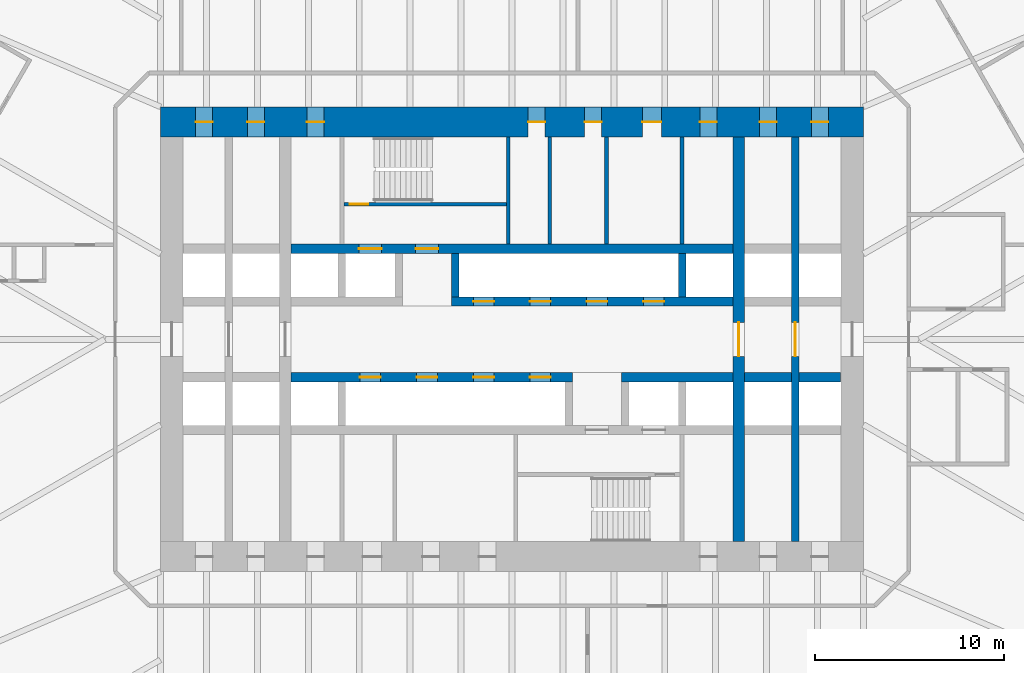
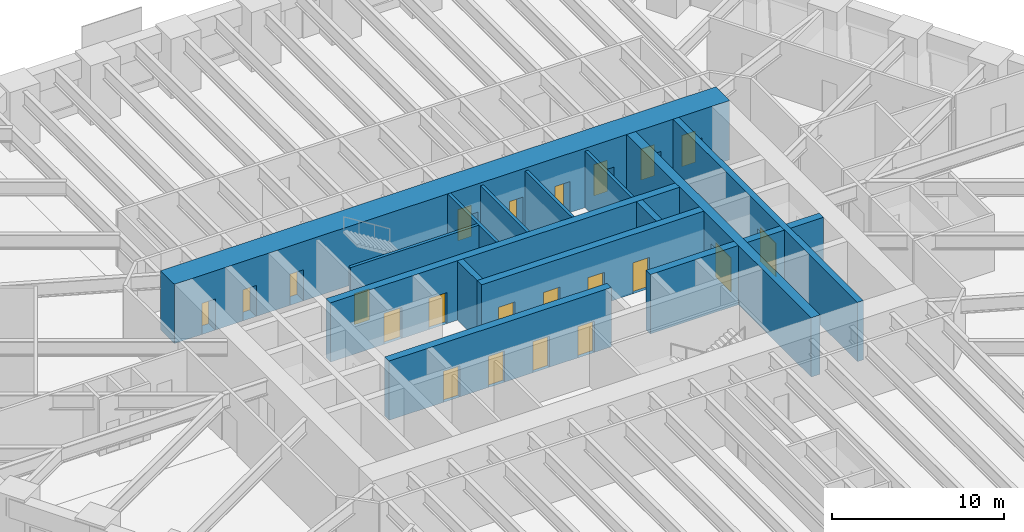
# One storey, part 18 of 23: 22 doors, 16 walls, 22 openings.
"""IFC4 building model written with IfcOpenShell, lengths in metres."""

from ifc_helpers import new_model, si_unit, direction, frame, frame_2d, origin, place, context, subcontext, project, spatial, rectangle, extrude, material, layer, layer_set, type_object, element, fill, save


model = new_model("IFC4")

# Units and contexts
model_context = context("Model", 3, precision=1e-05, world=origin(), true_north=direction((0.0, 1.0)))
body_context = subcontext(model_context, "Body", "Model", "MODEL_VIEW")
ifc_project = project(units=[si_unit("LENGTHUNIT", "METRE"), si_unit("AREAUNIT", "SQUARE_METRE"), si_unit("VOLUMEUNIT", "CUBIC_METRE"), si_unit("PLANEANGLEUNIT", "RADIAN"), si_unit("MASSUNIT", "GRAM", prefix="KILO")], contexts=[model_context])

# Site, building, storey
site_placement = place(None, origin())
site = spatial("IfcSite", under=ifc_project, at=site_placement, CompositionType="ELEMENT")
building_placement = place(site_placement, origin())
building = spatial("IfcBuilding", under=site, at=building_placement, Name="Tarfa Lantern Tower", CompositionType="ELEMENT")
storey_placement = place(building_placement, frame((0.0, 0.0, 44.5)))
storey = spatial("IfcBuildingStorey", under=building, at=storey_placement, Name="L09", CompositionType="ELEMENT", Elevation=44.5)

# Walls
ifc_material_1 = material(Name="Concrete blockwork", Category="masonry")
ifc_layer_1 = layer(ifc_material_1, 0.199951171875)
ifc_layer_set_1 = layer_set([ifc_layer_1], Name="IW1 BLOCKWORK PARTITION 200 EI 120")
wall_type_1 = type_object("IfcWallType", Name="IW1 BLOCKWORK PARTITION 200 EI 120", PredefinedType="PARTITIONING", material=ifc_layer_set_1)
for number, where, z_axis, x_axis, name in (
    (1, (9.0, 5.050048828125, 0.0), (0.0, 0.0, 1.0), (0.0, 1.0, 0.0), "Core partition"),
    (2, (2.0, 5.050048828125, 0.0), (0.0, 0.0, 1.0), (0.0, 1.0, 0.0), "Core partition"),
    (3, (5.0, 5.050048828125, 0.0), (0.0, 0.0, 1.0), (0.0, 1.0, 0.0), "Core partition"),
):
    element("IfcWall", number, at=place(storey_placement, frame(where, z_axis=z_axis, x_axis=x_axis)), inside=storey, type_object=wall_type_1, Name=name, PredefinedType="PARTITIONING", context=body_context, shape_type="SweptSolid", body=[
        extrude(rectangle(XDim=5.64990234375, YDim=0.199951171875, at=frame_2d((2.824951171875, 0.0))), origin(), (0.0, 0.0, 1.0), 4.0),
    ])
ifc_material_2 = material(Name="Concrete C80/95", Category="concrete")
ifc_layer_2 = layer(ifc_material_2, 0.199951171875)
ifc_layer_set_2 = layer_set([ifc_layer_2], Name="SW12 CORE WALL 200")
wall_type_2 = type_object("IfcWallType", Name="SW12 CORE WALL 200", PredefinedType="SHEAR", material=ifc_layer_set_2)
wall_1_placement = place(storey_placement, frame((-0.199951171875, 5.050048828125, 0.0), z_axis=(0.0, 0.0, 1.0), x_axis=(0.0, 1.0, 0.0)))
element("IfcWall", 4, at=wall_1_placement, inside=storey, type_object=wall_type_2, Name="Core wall stair shaft N", PredefinedType="SHEAR", context=body_context, shape_type="SweptSolid", body=[
    extrude(rectangle(XDim=5.64990234375, YDim=0.199951171875, at=frame_2d((2.824951171875, 0.0))), origin(), (0.0, 0.0, 1.0), 4.199951171875),
])

# Wall, opening, door
wall_2_placement = place(storey_placement, frame((-8.89990234375, 7.14990234375, 0.0), z_axis=(0.0, 0.0, 1.0), x_axis=(1.0, 0.0, 0.0)))
wall_2 = element("IfcWall", 5, at=wall_2_placement, inside=storey, type_object=wall_type_2, Name="Core wall stair partition N", PredefinedType="SHEAR", context=body_context, shape_type="SweptSolid", body=[
    extrude(rectangle(XDim=8.599853515625, YDim=0.199951171875, at=frame_2d((4.2998046875, 0.0))), origin(), (0.0, 0.0, 1.0), 4.199951171875),
])
opening_1_placement = place(wall_2_placement, frame((0.300048828125, 0.0, 0.0)))
opening_1 = element("IfcOpeningElement", 6, at=opening_1_placement, cuts=wall_2, Name="Opening D23", PredefinedType="OPENING", context=body_context, shape_type="SweptSolid", body=[
    extrude(rectangle(XDim=1.0, YDim=2.199951171875, at=frame_2d((0.5, 1.10009765625))), frame((0.0, 0.10986328125, 0.0), z_axis=(0.0, -1.0, 0.0), x_axis=(1.0, 0.0, 0.0)), (0.0, 0.0, 1.0), 0.219970703125),
])
ifc_material_3 = material(Name="Steel fire door", Category="steel")
door_type_1 = type_object("IfcDoorType", Name="DF2 STAIR DOOR 1000x2200", OperationType="SINGLE_SWING_LEFT", PredefinedType="DOOR", material=ifc_material_3)
door_1_placement = place(opening_1_placement, origin())
door_1 = element("IfcDoor", 7, at=door_1_placement, inside=storey, type_object=door_type_1, Name="Stair door", OperationType="SINGLE_SWING_RIGHT", OverallHeight=2.199951171875, OverallWidth=1.0, PredefinedType="DOOR", context=body_context, shape_type="SweptSolid", body=[
    extrude(rectangle(XDim=1.0, YDim=2.199951171875, at=frame_2d((0.5, 1.10009765625))), frame((0.0, 0.02490234375, 0.0), z_axis=(0.0, -1.0, 0.0), x_axis=(1.0, 0.0, 0.0)), (0.0, 0.0, 1.0), 0.050048828125),
])
fill(opening_1, door_1)

# Wall, openings, doors
ifc_layer_3 = layer(ifc_material_2, 0.5)
ifc_layer_set_3 = layer_set([ifc_layer_3], Name="SW5 CORE WALL 500")
wall_type_3 = type_object("IfcWallType", Name="SW5 CORE WALL 500", PredefinedType="SHEAR", material=ifc_layer_set_3)
wall_3_placement = place(storey_placement, frame((-3.199951171875, 2.0, 0.0), z_axis=(0.0, 0.0, 1.0), x_axis=(1.0, 0.0, 0.0)))
wall_3 = element("IfcWall", 8, at=wall_3_placement, inside=storey, type_object=wall_type_3, Name="Core wall lobby east N", PredefinedType="SHEAR", context=body_context, shape_type="SweptSolid", body=[
    extrude(rectangle(XDim=14.89990234375, YDim=0.5, at=frame_2d((7.449951171875, 0.0))), origin(), (0.0, 0.0, 1.0), 4.199951171875),
])
opening_2_placement = place(wall_3_placement, frame((1.14990234375, 0.0, 0.0)))
opening_2 = element("IfcOpeningElement", 9, at=opening_2_placement, cuts=wall_3, Name="Opening LD03", PredefinedType="OPENING", context=body_context, shape_type="SweptSolid", body=[
    extrude(rectangle(XDim=1.10009765625, YDim=2.199951171875, at=frame_2d((0.550048828125, 1.10009765625))), frame((0.0, 0.260009765625, 0.0), z_axis=(0.0, -1.0, 0.0), x_axis=(1.0, 0.0, 0.0)), (0.0, 0.0, 1.0), 0.52001953125),
])
opening_3_placement = place(wall_3_placement, frame((4.14990234375, 0.0, 0.0)))
opening_3 = element("IfcOpeningElement", 10, at=opening_3_placement, cuts=wall_3, Name="Opening LD04", PredefinedType="OPENING", context=body_context, shape_type="SweptSolid", body=[
    extrude(rectangle(XDim=1.10009765625, YDim=2.199951171875, at=frame_2d((0.550048828125, 1.10009765625))), frame((0.0, 0.260009765625, 0.0), z_axis=(0.0, -1.0, 0.0), x_axis=(1.0, 0.0, 0.0)), (0.0, 0.0, 1.0), 0.52001953125),
])
opening_4_placement = place(wall_3_placement, frame((7.14990234375, 0.0, 0.0)))
opening_4 = element("IfcOpeningElement", 11, at=opening_4_placement, cuts=wall_3, Name="Opening LD05", PredefinedType="OPENING", context=body_context, shape_type="SweptSolid", body=[
    extrude(rectangle(XDim=1.10009765625, YDim=2.199951171875, at=frame_2d((0.550048828125, 1.10009765625))), frame((0.0, 0.260009765625, 0.0), z_axis=(0.0, -1.0, 0.0), x_axis=(1.0, 0.0, 0.0)), (0.0, 0.0, 1.0), 0.52001953125),
])
opening_5_placement = place(wall_3_placement, frame((10.14990234375, 0.0, 0.0)))
opening_5 = element("IfcOpeningElement", 12, at=opening_5_placement, cuts=wall_3, Name="Opening LD06", PredefinedType="OPENING", context=body_context, shape_type="SweptSolid", body=[
    extrude(rectangle(XDim=1.10009765625, YDim=2.199951171875, at=frame_2d((0.550048828125, 1.10009765625))), frame((0.0, 0.260009765625, 0.0), z_axis=(0.0, -1.0, 0.0), x_axis=(1.0, 0.0, 0.0)), (0.0, 0.0, 1.0), 0.52001953125),
])
ifc_material_4 = material(Name="Stainless steel lift door", Category="steel")
door_type_2 = type_object("IfcDoorType", Name="LD2 LIFT LANDING DOOR 1100x2200", OperationType="SLIDING_TO_LEFT", PredefinedType="DOOR", material=ifc_material_4)
door_2_placement = place(opening_2_placement, frame((1.10009765625, 0.0, 0.0), z_axis=(0.0, 0.0, 1.0), x_axis=(-1.0, 0.0, 0.0)))
door_2 = element("IfcDoor", 13, at=door_2_placement, inside=storey, type_object=door_type_2, Name="Landing door PA1", OperationType="SLIDING_TO_LEFT", OverallHeight=2.199951171875, OverallWidth=1.10009765625, PredefinedType="DOOR", context=body_context, shape_type="SweptSolid", body=[
    extrude(rectangle(XDim=1.10009765625, YDim=2.199951171875, at=frame_2d((0.550048828125, 1.10009765625))), frame((0.0, 0.02490234375, 0.0), z_axis=(0.0, -1.0, 0.0), x_axis=(1.0, 0.0, 0.0)), (0.0, 0.0, 1.0), 0.050048828125),
])
fill(opening_2, door_2)
door_3_placement = place(opening_3_placement, frame((1.10009765625, 0.0, 0.0), z_axis=(0.0, 0.0, 1.0), x_axis=(-1.0, 0.0, 0.0)))
door_3 = element("IfcDoor", 14, at=door_3_placement, inside=storey, type_object=door_type_2, Name="Landing door PA2", OperationType="SLIDING_TO_LEFT", OverallHeight=2.199951171875, OverallWidth=1.10009765625, PredefinedType="DOOR", context=body_context, shape_type="SweptSolid", body=[
    extrude(rectangle(XDim=1.10009765625, YDim=2.199951171875, at=frame_2d((0.550048828125, 1.10009765625))), frame((0.0, 0.02490234375, 0.0), z_axis=(0.0, -1.0, 0.0), x_axis=(1.0, 0.0, 0.0)), (0.0, 0.0, 1.0), 0.050048828125),
])
fill(opening_3, door_3)
door_4_placement = place(opening_4_placement, frame((1.10009765625, 0.0, 0.0), z_axis=(0.0, 0.0, 1.0), x_axis=(-1.0, 0.0, 0.0)))
door_4 = element("IfcDoor", 15, at=door_4_placement, inside=storey, type_object=door_type_2, Name="Landing door PA3", OperationType="SLIDING_TO_LEFT", OverallHeight=2.199951171875, OverallWidth=1.10009765625, PredefinedType="DOOR", context=body_context, shape_type="SweptSolid", body=[
    extrude(rectangle(XDim=1.10009765625, YDim=2.199951171875, at=frame_2d((0.550048828125, 1.10009765625))), frame((0.0, 0.02490234375, 0.0), z_axis=(0.0, -1.0, 0.0), x_axis=(1.0, 0.0, 0.0)), (0.0, 0.0, 1.0), 0.050048828125),
])
fill(opening_4, door_4)
door_5_placement = place(opening_5_placement, frame((1.10009765625, 0.0, 0.0), z_axis=(0.0, 0.0, 1.0), x_axis=(-1.0, 0.0, 0.0)))
door_5 = element("IfcDoor", 16, at=door_5_placement, inside=storey, type_object=door_type_2, Name="Landing door PA4", OperationType="SLIDING_TO_LEFT", OverallHeight=2.199951171875, OverallWidth=1.10009765625, PredefinedType="DOOR", context=body_context, shape_type="SweptSolid", body=[
    extrude(rectangle(XDim=1.10009765625, YDim=2.199951171875, at=frame_2d((0.550048828125, 1.10009765625))), frame((0.0, 0.02490234375, 0.0), z_axis=(0.0, -1.0, 0.0), x_axis=(1.0, 0.0, 0.0)), (0.0, 0.0, 1.0), 0.050048828125),
])
fill(opening_5, door_5)

wall_4_placement = place(storey_placement, frame((-11.699951171875, 4.800048828125, 0.0), z_axis=(0.0, 0.0, 1.0), x_axis=(1.0, 0.0, 0.0)))
wall_4 = element("IfcWall", 17, at=wall_4_placement, inside=storey, type_object=wall_type_3, Name="Core wall rear N", PredefinedType="SHEAR", context=body_context, shape_type="SweptSolid", body=[
    extrude(rectangle(XDim=23.39990234375, YDim=0.5, at=frame_2d((11.699951171875, 0.0))), origin(), (0.0, 0.0, 1.0), 4.199951171875),
])
opening_6_placement = place(wall_4_placement, frame((6.60009765625, 0.0, 0.0)))
opening_6 = element("IfcOpeningElement", 18, at=opening_6_placement, cuts=wall_4, Name="Opening D13", PredefinedType="OPENING", context=body_context, shape_type="SweptSolid", body=[
    extrude(rectangle(XDim=1.199951171875, YDim=2.199951171875, at=frame_2d((0.60009765625, 1.10009765625))), frame((0.0, 0.260009765625, 0.0), z_axis=(0.0, -1.0, 0.0), x_axis=(1.0, 0.0, 0.0)), (0.0, 0.0, 1.0), 0.52001953125),
])
opening_7_placement = place(wall_4_placement, frame((3.60009765625, 0.0, 0.0)))
opening_7 = element("IfcOpeningElement", 19, at=opening_7_placement, cuts=wall_4, Name="Opening LD01", PredefinedType="OPENING", context=body_context, shape_type="SweptSolid", body=[
    extrude(rectangle(XDim=1.199951171875, YDim=2.199951171875, at=frame_2d((0.60009765625, 1.10009765625))), frame((0.0, 0.260009765625, 0.0), z_axis=(0.0, -1.0, 0.0), x_axis=(1.0, 0.0, 0.0)), (0.0, 0.0, 1.0), 0.52001953125),
])
door_type_3 = type_object("IfcDoorType", Name="DF1 FIREFIGHTING LOBBY DOOR 1200x2200", OperationType="SINGLE_SWING_LEFT", PredefinedType="DOOR", material=ifc_material_3)
door_6_placement = place(opening_6_placement, origin())
door_6 = element("IfcDoor", 20, at=door_6_placement, inside=storey, type_object=door_type_3, Name="Firefighting lobby door", OperationType="SINGLE_SWING_LEFT", OverallHeight=2.199951171875, OverallWidth=1.199951171875, PredefinedType="DOOR", context=body_context, shape_type="SweptSolid", body=[
    extrude(rectangle(XDim=1.199951171875, YDim=2.199951171875, at=frame_2d((0.60009765625, 1.10009765625))), frame((0.0, 0.02490234375, 0.0), z_axis=(0.0, -1.0, 0.0), x_axis=(1.0, 0.0, 0.0)), (0.0, 0.0, 1.0), 0.050048828125),
])
fill(opening_6, door_6)
door_type_4 = type_object("IfcDoorType", Name="LD1 LIFT LANDING DOOR 1200x2200", OperationType="SLIDING_TO_LEFT", PredefinedType="DOOR", material=ifc_material_4)
door_7_placement = place(opening_7_placement, origin())
door_7 = element("IfcDoor", 21, at=door_7_placement, inside=storey, type_object=door_type_4, Name="Landing door FL1", OperationType="SLIDING_TO_LEFT", OverallHeight=2.199951171875, OverallWidth=1.199951171875, PredefinedType="DOOR", context=body_context, shape_type="SweptSolid", body=[
    extrude(rectangle(XDim=1.199951171875, YDim=2.199951171875, at=frame_2d((0.60009765625, 1.10009765625))), frame((0.0, 0.02490234375, 0.0), z_axis=(0.0, -1.0, 0.0), x_axis=(1.0, 0.0, 0.0)), (0.0, 0.0, 1.0), 0.050048828125),
])
fill(opening_7, door_7)

# Walls
wall_5_placement = place(storey_placement, frame((17.39990234375, -2.0, 0.0), z_axis=(0.0, 0.0, 1.0), x_axis=(-1.0, 0.0, 0.0)))
element("IfcWall", 22, at=wall_5_placement, inside=storey, type_object=wall_type_3, Name="Core wall lobby west S", PredefinedType="SHEAR", context=body_context, shape_type="SweptSolid", body=[
    extrude(rectangle(XDim=2.199951171875, YDim=0.5, at=frame_2d((1.10009765625, 0.0))), origin(), (0.0, 0.0, 1.0), 4.199951171875),
])
wall_6_placement = place(storey_placement, frame((14.800048828125, -2.0, 0.0), z_axis=(0.0, 0.0, 1.0), x_axis=(-1.0, 0.0, 0.0)))
element("IfcWall", 23, at=wall_6_placement, inside=storey, type_object=wall_type_3, Name="Core wall lobby west S", PredefinedType="SHEAR", context=body_context, shape_type="SweptSolid", body=[
    extrude(rectangle(XDim=2.5, YDim=0.5, at=frame_2d((1.25, 0.0))), origin(), (0.0, 0.0, 1.0), 4.199951171875),
])
wall_7_placement = place(storey_placement, frame((11.699951171875, -2.0, 0.0), z_axis=(0.0, 0.0, 1.0), x_axis=(-1.0, 0.0, 0.0)))
element("IfcWall", 24, at=wall_7_placement, inside=storey, type_object=wall_type_3, Name="Core wall lobby west S", PredefinedType="SHEAR", context=body_context, shape_type="SweptSolid", body=[
    extrude(rectangle(XDim=5.89990234375, YDim=0.5, at=frame_2d((2.949951171875, 0.0))), origin(), (0.0, 0.0, 1.0), 4.199951171875),
])

# Wall, openings, doors
wall_8_placement = place(storey_placement, frame((3.199951171875, -2.0, 0.0), z_axis=(0.0, 0.0, 1.0), x_axis=(-1.0, 0.0, 0.0)))
wall_8 = element("IfcWall", 25, at=wall_8_placement, inside=storey, type_object=wall_type_3, Name="Core wall lobby east S", PredefinedType="SHEAR", context=body_context, shape_type="SweptSolid", body=[
    extrude(rectangle(XDim=14.89990234375, YDim=0.5, at=frame_2d((7.449951171875, 0.0))), origin(), (0.0, 0.0, 1.0), 4.199951171875),
])
opening_8_placement = place(wall_8_placement, frame((1.14990234375, 0.0, 0.0)))
opening_8 = element("IfcOpeningElement", 26, at=opening_8_placement, cuts=wall_8, Name="Opening LD07", PredefinedType="OPENING", context=body_context, shape_type="SweptSolid", body=[
    extrude(rectangle(XDim=1.10009765625, YDim=2.199951171875, at=frame_2d((0.550048828125, 1.10009765625))), frame((0.0, 0.260009765625, 0.0), z_axis=(0.0, -1.0, 0.0), x_axis=(1.0, 0.0, 0.0)), (0.0, 0.0, 1.0), 0.52001953125),
])
opening_9_placement = place(wall_8_placement, frame((4.14990234375, 0.0, 0.0)))
opening_9 = element("IfcOpeningElement", 27, at=opening_9_placement, cuts=wall_8, Name="Opening LD08", PredefinedType="OPENING", context=body_context, shape_type="SweptSolid", body=[
    extrude(rectangle(XDim=1.10009765625, YDim=2.199951171875, at=frame_2d((0.550048828125, 1.10009765625))), frame((0.0, 0.260009765625, 0.0), z_axis=(0.0, -1.0, 0.0), x_axis=(1.0, 0.0, 0.0)), (0.0, 0.0, 1.0), 0.52001953125),
])
opening_10_placement = place(wall_8_placement, frame((7.14990234375, 0.0, 0.0)))
opening_10 = element("IfcOpeningElement", 28, at=opening_10_placement, cuts=wall_8, Name="Opening LD09", PredefinedType="OPENING", context=body_context, shape_type="SweptSolid", body=[
    extrude(rectangle(XDim=1.10009765625, YDim=2.199951171875, at=frame_2d((0.550048828125, 1.10009765625))), frame((0.0, 0.260009765625, 0.0), z_axis=(0.0, -1.0, 0.0), x_axis=(1.0, 0.0, 0.0)), (0.0, 0.0, 1.0), 0.52001953125),
])
opening_11_placement = place(wall_8_placement, frame((10.14990234375, 0.0, 0.0)))
opening_11 = element("IfcOpeningElement", 29, at=opening_11_placement, cuts=wall_8, Name="Opening LD10", PredefinedType="OPENING", context=body_context, shape_type="SweptSolid", body=[
    extrude(rectangle(XDim=1.10009765625, YDim=2.199951171875, at=frame_2d((0.550048828125, 1.10009765625))), frame((0.0, 0.260009765625, 0.0), z_axis=(0.0, -1.0, 0.0), x_axis=(1.0, 0.0, 0.0)), (0.0, 0.0, 1.0), 0.52001953125),
])
door_8_placement = place(opening_8_placement, frame((1.10009765625, 0.0, 0.0), z_axis=(0.0, 0.0, 1.0), x_axis=(-1.0, 0.0, 0.0)))
door_8 = element("IfcDoor", 30, at=door_8_placement, inside=storey, type_object=door_type_2, Name="Landing door PA5", OperationType="SLIDING_TO_LEFT", OverallHeight=2.199951171875, OverallWidth=1.10009765625, PredefinedType="DOOR", context=body_context, shape_type="SweptSolid", body=[
    extrude(rectangle(XDim=1.10009765625, YDim=2.199951171875, at=frame_2d((0.550048828125, 1.10009765625))), frame((0.0, 0.02490234375, 0.0), z_axis=(0.0, -1.0, 0.0), x_axis=(1.0, 0.0, 0.0)), (0.0, 0.0, 1.0), 0.050048828125),
])
fill(opening_8, door_8)
door_9_placement = place(opening_9_placement, frame((1.10009765625, 0.0, 0.0), z_axis=(0.0, 0.0, 1.0), x_axis=(-1.0, 0.0, 0.0)))
door_9 = element("IfcDoor", 31, at=door_9_placement, inside=storey, type_object=door_type_2, Name="Landing door PA6", OperationType="SLIDING_TO_LEFT", OverallHeight=2.199951171875, OverallWidth=1.10009765625, PredefinedType="DOOR", context=body_context, shape_type="SweptSolid", body=[
    extrude(rectangle(XDim=1.10009765625, YDim=2.199951171875, at=frame_2d((0.550048828125, 1.10009765625))), frame((0.0, 0.02490234375, 0.0), z_axis=(0.0, -1.0, 0.0), x_axis=(1.0, 0.0, 0.0)), (0.0, 0.0, 1.0), 0.050048828125),
])
fill(opening_9, door_9)
door_10_placement = place(opening_10_placement, frame((1.10009765625, 0.0, 0.0), z_axis=(0.0, 0.0, 1.0), x_axis=(-1.0, 0.0, 0.0)))
door_10 = element("IfcDoor", 32, at=door_10_placement, inside=storey, type_object=door_type_2, Name="Landing door PA7", OperationType="SLIDING_TO_LEFT", OverallHeight=2.199951171875, OverallWidth=1.10009765625, PredefinedType="DOOR", context=body_context, shape_type="SweptSolid", body=[
    extrude(rectangle(XDim=1.10009765625, YDim=2.199951171875, at=frame_2d((0.550048828125, 1.10009765625))), frame((0.0, 0.02490234375, 0.0), z_axis=(0.0, -1.0, 0.0), x_axis=(1.0, 0.0, 0.0)), (0.0, 0.0, 1.0), 0.050048828125),
])
fill(opening_10, door_10)
door_11_placement = place(opening_11_placement, frame((1.10009765625, 0.0, 0.0), z_axis=(0.0, 0.0, 1.0), x_axis=(-1.0, 0.0, 0.0)))
door_11 = element("IfcDoor", 33, at=door_11_placement, inside=storey, type_object=door_type_2, Name="Landing door PA8", OperationType="SLIDING_TO_LEFT", OverallHeight=2.199951171875, OverallWidth=1.10009765625, PredefinedType="DOOR", context=body_context, shape_type="SweptSolid", body=[
    extrude(rectangle(XDim=1.10009765625, YDim=2.199951171875, at=frame_2d((0.550048828125, 1.10009765625))), frame((0.0, 0.02490234375, 0.0), z_axis=(0.0, -1.0, 0.0), x_axis=(1.0, 0.0, 0.0)), (0.0, 0.0, 1.0), 0.050048828125),
])
fill(opening_11, door_11)

# Wall, opening, door
ifc_layer_4 = layer(ifc_material_2, 0.39990234375)
ifc_layer_set_4 = layer_set([ifc_layer_4], Name="SW6 CORE WALL 400")
wall_type_4 = type_object("IfcWallType", Name="SW6 CORE WALL 400", PredefinedType="SHEAR", material=ifc_layer_set_4)
wall_9_placement = place(storey_placement, frame((15.0, -10.699951171875, 0.0), z_axis=(0.0, 0.0, 1.0), x_axis=(0.0, 1.0, 0.0)))
wall_9 = element("IfcWall", 34, at=wall_9_placement, inside=storey, type_object=wall_type_4, Name="Core wall cross 15 m east", PredefinedType="SHEAR", context=body_context, shape_type="SweptSolid", body=[
    extrude(rectangle(XDim=21.39990234375, YDim=0.39990234375, at=frame_2d((10.699951171875, 0.0))), origin(), (0.0, 0.0, 1.0), 4.199951171875),
])
opening_12_placement = place(wall_9_placement, frame((9.800048828125, 0.0, 0.0)))
opening_12 = element("IfcOpeningElement", 35, at=opening_12_placement, cuts=wall_9, Name="Opening D26", PredefinedType="OPENING", context=body_context, shape_type="SweptSolid", body=[
    extrude(rectangle(XDim=1.800048828125, YDim=2.39990234375, at=frame_2d((0.89990234375, 1.199951171875))), frame((0.0, 0.2099609375, 0.0), z_axis=(0.0, -1.0, 0.0), x_axis=(1.0, 0.0, 0.0)), (0.0, 0.0, 1.0), 0.419921875),
])
door_type_5 = type_object("IfcDoorType", Name="DL1 LOBBY DOOR 1800x2400", OperationType="DOUBLE_DOOR_SINGLE_SWING", PredefinedType="DOOR", material=ifc_material_3)
door_12_placement = place(opening_12_placement, origin())
door_12 = element("IfcDoor", 36, at=door_12_placement, inside=storey, type_object=door_type_5, Name="Lift lobby door", OperationType="DOUBLE_DOOR_SINGLE_SWING", OverallHeight=2.39990234375, OverallWidth=1.800048828125, PredefinedType="DOOR", context=body_context, shape_type="SweptSolid", body=[
    extrude(rectangle(XDim=1.800048828125, YDim=2.39990234375, at=frame_2d((0.89990234375, 1.199951171875))), frame((0.0, 0.02490234375, 0.0), z_axis=(0.0, -1.0, 0.0), x_axis=(1.0, 0.0, 0.0)), (0.0, 0.0, 1.0), 0.050048828125),
])
fill(opening_12, door_12)

# Walls
for number, where, z_axis, x_axis, name in (
    (37, (-3.0, 2.25, 0.0), (0.0, 0.0, 1.0), (0.0, 1.0, 0.0), "Core wall divider N"),
    (38, (9.0, 2.25, 0.0), (0.0, 0.0, 1.0), (0.0, 1.0, 0.0), "Core wall divider N"),
):
    element("IfcWall", number, at=place(storey_placement, frame(where, z_axis=z_axis, x_axis=x_axis)), inside=storey, type_object=wall_type_4, Name=name, PredefinedType="SHEAR", context=body_context, shape_type="SweptSolid", body=[
        extrude(rectangle(XDim=2.300048828125, YDim=0.39990234375, at=frame_2d((1.14990234375, 0.0))), origin(), (0.0, 0.0, 1.0), 4.199951171875),
    ])

# Wall, openings, doors
ifc_layer_5 = layer(ifc_material_2, 1.60009765625)
ifc_layer_set_5 = layer_set([ifc_layer_5], Name="SW7 CORE WALL 1600")
wall_type_5 = type_object("IfcWallType", Name="SW7 CORE WALL 1600", PredefinedType="SHEAR", material=ifc_layer_set_5)
wall_10_placement = place(storey_placement, frame((-18.60009765625, 11.5, 0.0), z_axis=(0.0, 0.0, 1.0), x_axis=(1.0, 0.0, 0.0)))
wall_10 = element("IfcWall", 39, at=wall_10_placement, inside=storey, type_object=wall_type_5, Name="Core wall N", PredefinedType="SHEAR", context=body_context, shape_type="SweptSolid", body=[
    extrude(rectangle(XDim=37.2001953125, YDim=1.60009765625, at=frame_2d((18.60009765625, 0.0))), origin(), (0.0, 0.0, 1.0), 4.199951171875),
])
opening_13_placement = place(wall_10_placement, frame((19.449951171875, 0.0, 0.0)))
opening_13 = element("IfcOpeningElement", 40, at=opening_13_placement, cuts=wall_10, Name="Opening D17", PredefinedType="OPENING", context=body_context, shape_type="SweptSolid", body=[
    extrude(rectangle(XDim=0.89990234375, YDim=2.199951171875, at=frame_2d((0.449951171875, 1.10009765625))), frame((0.0, 0.81005859375, 0.0), z_axis=(0.0, -1.0, 0.0), x_axis=(1.0, 0.0, 0.0)), (0.0, 0.0, 1.0), 1.6201171875),
])
opening_14_placement = place(wall_10_placement, frame((22.449951171875, 0.0, 0.0)))
opening_14 = element("IfcOpeningElement", 41, at=opening_14_placement, cuts=wall_10, Name="Opening D19", PredefinedType="OPENING", context=body_context, shape_type="SweptSolid", body=[
    extrude(rectangle(XDim=0.89990234375, YDim=2.199951171875, at=frame_2d((0.449951171875, 1.10009765625))), frame((0.0, 0.81005859375, 0.0), z_axis=(0.0, -1.0, 0.0), x_axis=(1.0, 0.0, 0.0)), (0.0, 0.0, 1.0), 1.6201171875),
])
opening_15_placement = place(wall_10_placement, frame((25.5, 0.0, 0.0)))
opening_15 = element("IfcOpeningElement", 42, at=opening_15_placement, cuts=wall_10, Name="Opening D21", PredefinedType="OPENING", context=body_context, shape_type="SweptSolid", body=[
    extrude(rectangle(XDim=1.0, YDim=2.199951171875, at=frame_2d((0.5, 1.10009765625))), frame((0.0, 0.81005859375, 0.0), z_axis=(0.0, -1.0, 0.0), x_axis=(1.0, 0.0, 0.0)), (0.0, 0.0, 1.0), 1.6201171875),
])
opening_16_placement = place(wall_10_placement, frame((1.85009765625, 0.0, 0.0)))
opening_16 = element("IfcOpeningElement", 43, at=opening_16_placement, cuts=wall_10, Name="Opening D11", PredefinedType="OPENING", context=body_context, shape_type="SweptSolid", body=[
    extrude(rectangle(XDim=0.89990234375, YDim=2.199951171875, at=frame_2d((0.449951171875, 1.10009765625))), frame((0.0, 0.81005859375, 0.0), z_axis=(0.0, -1.0, 0.0), x_axis=(1.0, 0.0, 0.0)), (0.0, 0.0, 1.0), 1.6201171875),
])
opening_17_placement = place(wall_10_placement, frame((4.60009765625, 0.0, 0.0)))
opening_17 = element("IfcOpeningElement", 44, at=opening_17_placement, cuts=wall_10, Name="Opening D07", PredefinedType="OPENING", context=body_context, shape_type="SweptSolid", body=[
    extrude(rectangle(XDim=0.89990234375, YDim=2.199951171875, at=frame_2d((0.449951171875, 1.10009765625))), frame((0.0, 0.81005859375, 0.0), z_axis=(0.0, -1.0, 0.0), x_axis=(1.0, 0.0, 0.0)), (0.0, 0.0, 1.0), 1.6201171875),
])
opening_18_placement = place(wall_10_placement, frame((7.75, 0.0, 0.0)))
opening_18 = element("IfcOpeningElement", 45, at=opening_18_placement, cuts=wall_10, Name="Opening D09", PredefinedType="OPENING", context=body_context, shape_type="SweptSolid", body=[
    extrude(rectangle(XDim=0.89990234375, YDim=2.199951171875, at=frame_2d((0.449951171875, 1.10009765625))), frame((0.0, 0.81005859375, 0.0), z_axis=(0.0, -1.0, 0.0), x_axis=(1.0, 0.0, 0.0)), (0.0, 0.0, 1.0), 1.6201171875),
])
opening_19_placement = place(wall_10_placement, frame((28.550048828125, 0.0, 0.0)))
opening_19 = element("IfcOpeningElement", 46, at=opening_19_placement, cuts=wall_10, Name="Opening D05", PredefinedType="OPENING", context=body_context, shape_type="SweptSolid", body=[
    extrude(rectangle(XDim=0.89990234375, YDim=2.199951171875, at=frame_2d((0.449951171875, 1.10009765625))), frame((0.0, 0.81005859375, 0.0), z_axis=(0.0, -1.0, 0.0), x_axis=(1.0, 0.0, 0.0)), (0.0, 0.0, 1.0), 1.6201171875),
])
opening_20_placement = place(wall_10_placement, frame((31.699951171875, 0.0, 0.0)))
opening_20 = element("IfcOpeningElement", 47, at=opening_20_placement, cuts=wall_10, Name="Opening D01", PredefinedType="OPENING", context=body_context, shape_type="SweptSolid", body=[
    extrude(rectangle(XDim=0.89990234375, YDim=2.199951171875, at=frame_2d((0.449951171875, 1.10009765625))), frame((0.0, 0.81005859375, 0.0), z_axis=(0.0, -1.0, 0.0), x_axis=(1.0, 0.0, 0.0)), (0.0, 0.0, 1.0), 1.6201171875),
])
opening_21_placement = place(wall_10_placement, frame((34.449951171875, 0.0, 0.0)))
opening_21 = element("IfcOpeningElement", 48, at=opening_21_placement, cuts=wall_10, Name="Opening D03", PredefinedType="OPENING", context=body_context, shape_type="SweptSolid", body=[
    extrude(rectangle(XDim=0.89990234375, YDim=2.199951171875, at=frame_2d((0.449951171875, 1.10009765625))), frame((0.0, 0.81005859375, 0.0), z_axis=(0.0, -1.0, 0.0), x_axis=(1.0, 0.0, 0.0)), (0.0, 0.0, 1.0), 1.6201171875),
])
door_type_6 = type_object("IfcDoorType", Name="DF3 CORE ROOM DOOR 900x2200", OperationType="SINGLE_SWING_LEFT", PredefinedType="DOOR", material=ifc_material_3)
door_13_placement = place(opening_13_placement, frame((0.89990234375, 0.0, 0.0), z_axis=(0.0, 0.0, 1.0), x_axis=(-1.0, 0.0, 0.0)))
door_13 = element("IfcDoor", 49, at=door_13_placement, inside=storey, type_object=door_type_6, Name="Core door", OperationType="SINGLE_SWING_RIGHT", OverallHeight=2.199951171875, OverallWidth=0.89990234375, PredefinedType="DOOR", context=body_context, shape_type="SweptSolid", body=[
    extrude(rectangle(XDim=0.89990234375, YDim=2.199951171875, at=frame_2d((0.449951171875, 1.10009765625))), frame((0.0, 0.02490234375, 0.0), z_axis=(0.0, -1.0, 0.0), x_axis=(1.0, 0.0, 0.0)), (0.0, 0.0, 1.0), 0.050048828125),
])
fill(opening_13, door_13)
door_14_placement = place(opening_14_placement, frame((0.89990234375, 0.0, 0.0), z_axis=(0.0, 0.0, 1.0), x_axis=(-1.0, 0.0, 0.0)))
door_14 = element("IfcDoor", 50, at=door_14_placement, inside=storey, type_object=door_type_6, Name="Core door", OperationType="SINGLE_SWING_RIGHT", OverallHeight=2.199951171875, OverallWidth=0.89990234375, PredefinedType="DOOR", context=body_context, shape_type="SweptSolid", body=[
    extrude(rectangle(XDim=0.89990234375, YDim=2.199951171875, at=frame_2d((0.449951171875, 1.10009765625))), frame((0.0, 0.02490234375, 0.0), z_axis=(0.0, -1.0, 0.0), x_axis=(1.0, 0.0, 0.0)), (0.0, 0.0, 1.0), 0.050048828125),
])
fill(opening_14, door_14)
door_type_7 = type_object("IfcDoorType", Name="DF4 CORE ROOM DOOR 1000x2200", OperationType="SINGLE_SWING_LEFT", PredefinedType="DOOR", material=ifc_material_3)
door_15_placement = place(opening_15_placement, frame((1.0, 0.0, 0.0), z_axis=(0.0, 0.0, 1.0), x_axis=(-1.0, 0.0, 0.0)))
door_15 = element("IfcDoor", 51, at=door_15_placement, inside=storey, type_object=door_type_7, Name="Core door", OperationType="SINGLE_SWING_RIGHT", OverallHeight=2.199951171875, OverallWidth=1.0, PredefinedType="DOOR", context=body_context, shape_type="SweptSolid", body=[
    extrude(rectangle(XDim=1.0, YDim=2.199951171875, at=frame_2d((0.5, 1.10009765625))), frame((0.0, 0.02490234375, 0.0), z_axis=(0.0, -1.0, 0.0), x_axis=(1.0, 0.0, 0.0)), (0.0, 0.0, 1.0), 0.050048828125),
])
fill(opening_15, door_15)
door_type_8 = type_object("IfcDoorType", Name="DF5 RISER DOOR 900x2200", OperationType="SINGLE_SWING_LEFT", PredefinedType="DOOR", material=ifc_material_3)
door_16_placement = place(opening_16_placement, frame((0.89990234375, 0.0, 0.0), z_axis=(0.0, 0.0, 1.0), x_axis=(-1.0, 0.0, 0.0)))
door_16 = element("IfcDoor", 52, at=door_16_placement, inside=storey, type_object=door_type_8, Name="Riser door", OperationType="SINGLE_SWING_LEFT", OverallHeight=2.199951171875, OverallWidth=0.89990234375, PredefinedType="DOOR", context=body_context, shape_type="SweptSolid", body=[
    extrude(rectangle(XDim=0.89990234375, YDim=2.199951171875, at=frame_2d((0.449951171875, 1.10009765625))), frame((0.0, 0.02490234375, 0.0), z_axis=(0.0, -1.0, 0.0), x_axis=(1.0, 0.0, 0.0)), (0.0, 0.0, 1.0), 0.050048828125),
])
fill(opening_16, door_16)
door_17_placement = place(opening_17_placement, frame((0.89990234375, 0.0, 0.0), z_axis=(0.0, 0.0, 1.0), x_axis=(-1.0, 0.0, 0.0)))
door_17 = element("IfcDoor", 53, at=door_17_placement, inside=storey, type_object=door_type_8, Name="Riser door", OperationType="SINGLE_SWING_LEFT", OverallHeight=2.199951171875, OverallWidth=0.89990234375, PredefinedType="DOOR", context=body_context, shape_type="SweptSolid", body=[
    extrude(rectangle(XDim=0.89990234375, YDim=2.199951171875, at=frame_2d((0.449951171875, 1.10009765625))), frame((0.0, 0.02490234375, 0.0), z_axis=(0.0, -1.0, 0.0), x_axis=(1.0, 0.0, 0.0)), (0.0, 0.0, 1.0), 0.050048828125),
])
fill(opening_17, door_17)
door_18_placement = place(opening_18_placement, frame((0.89990234375, 0.0, 0.0), z_axis=(0.0, 0.0, 1.0), x_axis=(-1.0, 0.0, 0.0)))
door_18 = element("IfcDoor", 54, at=door_18_placement, inside=storey, type_object=door_type_8, Name="Riser door", OperationType="SINGLE_SWING_LEFT", OverallHeight=2.199951171875, OverallWidth=0.89990234375, PredefinedType="DOOR", context=body_context, shape_type="SweptSolid", body=[
    extrude(rectangle(XDim=0.89990234375, YDim=2.199951171875, at=frame_2d((0.449951171875, 1.10009765625))), frame((0.0, 0.02490234375, 0.0), z_axis=(0.0, -1.0, 0.0), x_axis=(1.0, 0.0, 0.0)), (0.0, 0.0, 1.0), 0.050048828125),
])
fill(opening_18, door_18)
door_19_placement = place(opening_19_placement, frame((0.89990234375, 0.0, 0.0), z_axis=(0.0, 0.0, 1.0), x_axis=(-1.0, 0.0, 0.0)))
door_19 = element("IfcDoor", 55, at=door_19_placement, inside=storey, type_object=door_type_8, Name="Riser door", OperationType="SINGLE_SWING_RIGHT", OverallHeight=2.199951171875, OverallWidth=0.89990234375, PredefinedType="DOOR", context=body_context, shape_type="SweptSolid", body=[
    extrude(rectangle(XDim=0.89990234375, YDim=2.199951171875, at=frame_2d((0.449951171875, 1.10009765625))), frame((0.0, 0.02490234375, 0.0), z_axis=(0.0, -1.0, 0.0), x_axis=(1.0, 0.0, 0.0)), (0.0, 0.0, 1.0), 0.050048828125),
])
fill(opening_19, door_19)
door_20_placement = place(opening_20_placement, frame((0.89990234375, 0.0, 0.0), z_axis=(0.0, 0.0, 1.0), x_axis=(-1.0, 0.0, 0.0)))
door_20 = element("IfcDoor", 56, at=door_20_placement, inside=storey, type_object=door_type_8, Name="Riser door", OperationType="SINGLE_SWING_RIGHT", OverallHeight=2.199951171875, OverallWidth=0.89990234375, PredefinedType="DOOR", context=body_context, shape_type="SweptSolid", body=[
    extrude(rectangle(XDim=0.89990234375, YDim=2.199951171875, at=frame_2d((0.449951171875, 1.10009765625))), frame((0.0, 0.02490234375, 0.0), z_axis=(0.0, -1.0, 0.0), x_axis=(1.0, 0.0, 0.0)), (0.0, 0.0, 1.0), 0.050048828125),
])
fill(opening_20, door_20)
door_21_placement = place(opening_21_placement, frame((0.89990234375, 0.0, 0.0), z_axis=(0.0, 0.0, 1.0), x_axis=(-1.0, 0.0, 0.0)))
door_21 = element("IfcDoor", 57, at=door_21_placement, inside=storey, type_object=door_type_8, Name="Riser door", OperationType="SINGLE_SWING_RIGHT", OverallHeight=2.199951171875, OverallWidth=0.89990234375, PredefinedType="DOOR", context=body_context, shape_type="SweptSolid", body=[
    extrude(rectangle(XDim=0.89990234375, YDim=2.199951171875, at=frame_2d((0.449951171875, 1.10009765625))), frame((0.0, 0.02490234375, 0.0), z_axis=(0.0, -1.0, 0.0), x_axis=(1.0, 0.0, 0.0)), (0.0, 0.0, 1.0), 0.050048828125),
])
fill(opening_21, door_21)

# Wall, opening, door
ifc_layer_6 = layer(ifc_material_2, 0.60009765625)
ifc_layer_set_6 = layer_set([ifc_layer_6], Name="SW9 CORE WALL 600")
wall_type_6 = type_object("IfcWallType", Name="SW9 CORE WALL 600", PredefinedType="SHEAR", material=ifc_layer_set_6)
wall_11_placement = place(storey_placement, frame((12.0, -10.699951171875, 0.0), z_axis=(0.0, 0.0, 1.0), x_axis=(0.0, 1.0, 0.0)))
wall_11 = element("IfcWall", 58, at=wall_11_placement, inside=storey, type_object=wall_type_6, Name="Core wall cross 12 m east", PredefinedType="SHEAR", context=body_context, shape_type="SweptSolid", body=[
    extrude(rectangle(XDim=21.39990234375, YDim=0.60009765625, at=frame_2d((10.699951171875, 0.0))), origin(), (0.0, 0.0, 1.0), 4.199951171875),
])
opening_22_placement = place(wall_11_placement, frame((9.800048828125, 0.0, 0.0)))
opening_22 = element("IfcOpeningElement", 59, at=opening_22_placement, cuts=wall_11, Name="Opening D25", PredefinedType="OPENING", context=body_context, shape_type="SweptSolid", body=[
    extrude(rectangle(XDim=1.800048828125, YDim=2.39990234375, at=frame_2d((0.89990234375, 1.199951171875))), frame((0.0, 0.31005859375, 0.0), z_axis=(0.0, -1.0, 0.0), x_axis=(1.0, 0.0, 0.0)), (0.0, 0.0, 1.0), 0.6201171875),
])
door_22_placement = place(opening_22_placement, origin())
door_22 = element("IfcDoor", 60, at=door_22_placement, inside=storey, type_object=door_type_5, Name="Lift lobby door", OperationType="DOUBLE_DOOR_SINGLE_SWING", OverallHeight=2.39990234375, OverallWidth=1.800048828125, PredefinedType="DOOR", context=body_context, shape_type="SweptSolid", body=[
    extrude(rectangle(XDim=1.800048828125, YDim=2.39990234375, at=frame_2d((0.89990234375, 1.199951171875))), frame((0.0, 0.02490234375, 0.0), z_axis=(0.0, -1.0, 0.0), x_axis=(1.0, 0.0, 0.0)), (0.0, 0.0, 1.0), 0.050048828125),
])
fill(opening_22, door_22)

save(model, "model.ifc")
